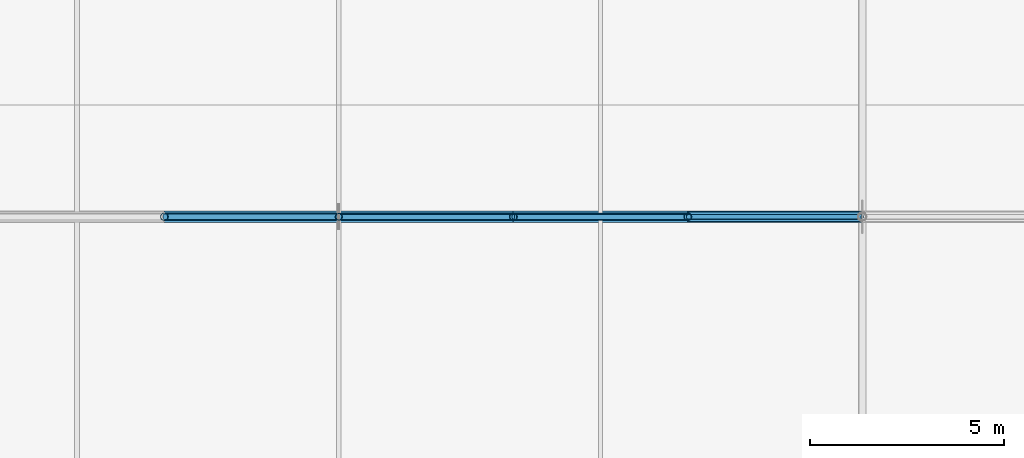
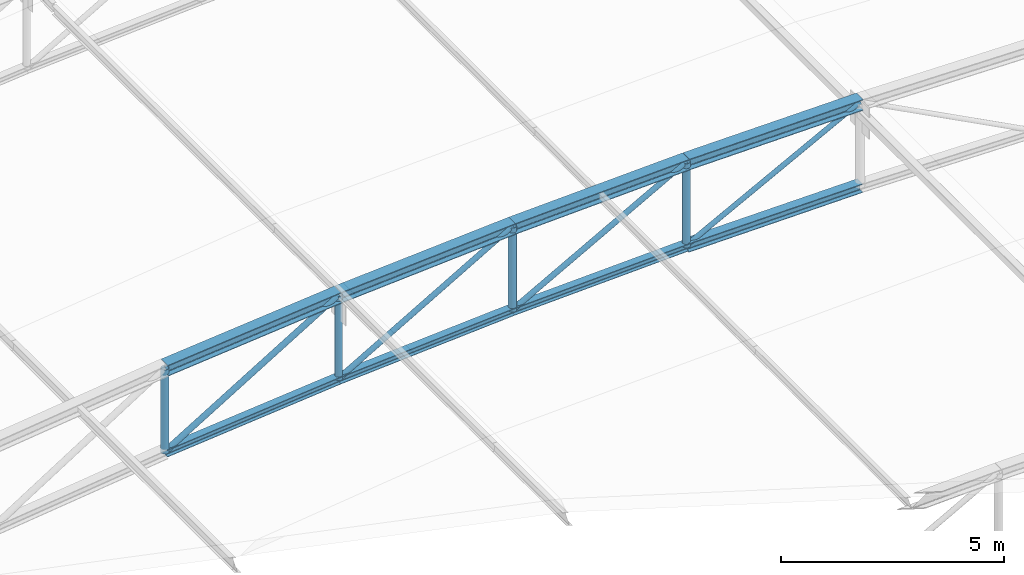
# One storey, part 163 of 262: 16 members.
"""IFC4 building model written with IfcOpenShell, lengths in metres."""

from ifc_helpers import new_model, si_unit, derived_unit, direction, frame, origin, origin_2d, place, context, subcontext, project, spatial, hollow_circle, i_section, extrude, material, material_profile, profile_set, type_object, element, save


model = new_model("IFC4")

# Units and contexts
model_context = context("Model", 3, precision=1e-05, world=origin(), true_north=direction((0.0, 1.0)))
body_context = subcontext(model_context, "Body", "Model", "MODEL_VIEW")
ifc_project = project(units=[si_unit("LENGTHUNIT", "METRE"), si_unit("AREAUNIT", "SQUARE_METRE"), si_unit("VOLUMEUNIT", "CUBIC_METRE"), si_unit("PLANEANGLEUNIT", "RADIAN"), si_unit("MASSUNIT", "GRAM", prefix="KILO"), derived_unit("THERMALTRANSMITTANCEUNIT", [(si_unit("POWERUNIT", "WATT"), 1), (si_unit("LENGTHUNIT", "METRE"), -2), (si_unit("THERMODYNAMICTEMPERATUREUNIT", "KELVIN"), -1)])], contexts=[model_context])

# Site, building, storey
site_placement = place(None, origin())
site = spatial("IfcSite", under=ifc_project, at=site_placement, CompositionType="ELEMENT")
building_placement = place(site_placement, origin())
building = spatial("IfcBuilding", under=site, at=building_placement, Name="Almenara Railside Exhibition Hall", CompositionType="ELEMENT")
storey_placement = place(building_placement, frame((0.0, 0.0, 21.699951171875)))
storey = spatial("IfcBuildingStorey", under=building, at=storey_placement, Name="RF", CompositionType="ELEMENT", Elevation=21.699951171875)

# Members
ifc_material = material(Name="Structural steel S355JR", Category="steel")
ifc_material_profile_1 = material_profile(ifc_material, i_section(OverallWidth=0.239990234375, OverallDepth=0.239990234375, WebThickness=0.010009765625, FlangeThickness=0.01708984375, FilletRadius=0.02099609375, at=origin_2d()), Name="HEB 240")
ifc_profile_set_1 = profile_set([ifc_material_profile_1], Name="Structural steel S355JR")
member_type_1 = type_object("IfcMemberType", Name="Arched Crown Bottom Chord HEB 240 S355JR", PredefinedType="CHORD", material=ifc_profile_set_1)
member_1_placement = place(storey_placement, frame((160.5, 90.0, -7.461181640625), z_axis=(0.999907293085, 0.0, 0.01361635908), x_axis=(0.0, 1.0, 0.0)))
element("IfcMember", 1, at=member_1_placement, inside=storey, type_object=member_type_1, Name="MEM-BC-V2-04-05", PredefinedType="CHORD", context=body_context, shape_type="SweptSolid", body=[
    extrude(i_section(OverallWidth=0.239990234375, OverallDepth=0.239990234375, WebThickness=0.010009765625, FlangeThickness=0.01708984375, FilletRadius=0.02099609375, at=origin_2d()), origin(), (0.0, 0.0, 1.0), 4.50048828125),
])
ifc_material_profile_2 = material_profile(ifc_material, i_section(OverallWidth=0.300048828125, OverallDepth=0.300048828125, WebThickness=0.010986328125, FlangeThickness=0.01904296875, FilletRadius=0.027099609375, at=origin_2d()), Name="HEB 300")
ifc_profile_set_2 = profile_set([ifc_material_profile_2], Name="Structural steel S355JR")
member_type_2 = type_object("IfcMemberType", Name="Arched Inner Top Chord HEB 300 S355JR", PredefinedType="CHORD", material=ifc_profile_set_2)
member_2_placement = place(storey_placement, frame((147.0, 90.0, -6.07763671875), z_axis=(0.995512933083, 0.0, 0.094625578275), x_axis=(0.0, 1.0, 0.0)))
element("IfcMember", 2, at=member_2_placement, inside=storey, type_object=member_type_2, Name="MEM-TC-V2-04-02", PredefinedType="CHORD", context=body_context, shape_type="SweptSolid", body=[
    extrude(i_section(OverallWidth=0.300048828125, OverallDepth=0.300048828125, WebThickness=0.010986328125, FlangeThickness=0.01904296875, FilletRadius=0.027099609375, at=origin_2d()), origin(), (0.0, 0.0, 1.0), 4.520263671875),
])
member_3_placement = place(storey_placement, frame((151.5, 90.0, -5.64990234375), z_axis=(0.997704684283, 0.0, 0.067715308162), x_axis=(0.0, 1.0, 0.0)))
element("IfcMember", 3, at=member_3_placement, inside=storey, type_object=member_type_2, Name="MEM-TC-V2-04-03", PredefinedType="CHORD", context=body_context, shape_type="SweptSolid", body=[
    extrude(i_section(OverallWidth=0.300048828125, OverallDepth=0.300048828125, WebThickness=0.010986328125, FlangeThickness=0.01904296875, FilletRadius=0.027099609375, at=origin_2d()), origin(), (0.0, 0.0, 1.0), 4.51025390625),
])
member_4_placement = place(storey_placement, frame((156.0, 90.0, -5.344482421875), z_axis=(0.99917098071, 0.0, 0.04071057978), x_axis=(0.0, 1.0, 0.0)))
element("IfcMember", 4, at=member_4_placement, inside=storey, type_object=member_type_2, Name="MEM-TC-V2-04-04", PredefinedType="CHORD", context=body_context, shape_type="SweptSolid", body=[
    extrude(i_section(OverallWidth=0.300048828125, OverallDepth=0.300048828125, WebThickness=0.010986328125, FlangeThickness=0.01904296875, FilletRadius=0.027099609375, at=origin_2d()), origin(), (0.0, 0.0, 1.0), 4.503662109375),
])
member_5_placement = place(storey_placement, frame((160.5, 90.0, -5.1611328125), z_axis=(0.999907293085, 0.0, 0.01361635908), x_axis=(0.0, 1.0, 0.0)))
element("IfcMember", 5, at=member_5_placement, inside=storey, type_object=member_type_2, Name="MEM-TC-V2-04-05", PredefinedType="CHORD", context=body_context, shape_type="SweptSolid", body=[
    extrude(i_section(OverallWidth=0.300048828125, OverallDepth=0.300048828125, WebThickness=0.010986328125, FlangeThickness=0.01904296875, FilletRadius=0.027099609375, at=origin_2d()), origin(), (0.0, 0.0, 1.0), 4.50048828125),
])
ifc_material_profile_3 = material_profile(ifc_material, i_section(OverallWidth=0.199951171875, OverallDepth=0.199951171875, WebThickness=0.009033203125, FlangeThickness=0.014892578125, FilletRadius=0.01806640625, at=origin_2d()), Name="HEB 200")
ifc_profile_set_3 = profile_set([ifc_material_profile_3], Name="Structural steel S355JR")
member_type_3 = type_object("IfcMemberType", Name="Canopy Collar Chord HEB 200 S355JR", PredefinedType="CHORD", material=ifc_profile_set_3)
member_6_placement = place(storey_placement, frame((147.0, 90.0, -8.377685546875), z_axis=(0.995512933083, 0.0, 0.094625578275), x_axis=(0.0, 1.0, 0.0)))
element("IfcMember", 6, at=member_6_placement, inside=storey, type_object=member_type_3, Name="MEM-BC-V2-04-02", PredefinedType="CHORD", context=body_context, shape_type="SweptSolid", body=[
    extrude(i_section(OverallWidth=0.199951171875, OverallDepth=0.199951171875, WebThickness=0.009033203125, FlangeThickness=0.014892578125, FilletRadius=0.01806640625, at=origin_2d()), origin(), (0.0, 0.0, 1.0), 4.520263671875),
])
member_7_placement = place(storey_placement, frame((151.5, 90.0, -7.949951171875), z_axis=(0.997701025897, 0.0, 0.067769188608), x_axis=(0.0, 1.0, 0.0)))
element("IfcMember", 7, at=member_7_placement, inside=storey, type_object=member_type_3, Name="MEM-BC-V2-04-03", PredefinedType="CHORD", context=body_context, shape_type="SweptSolid", body=[
    extrude(i_section(OverallWidth=0.199951171875, OverallDepth=0.199951171875, WebThickness=0.009033203125, FlangeThickness=0.014892578125, FilletRadius=0.01806640625, at=origin_2d()), origin(), (0.0, 0.0, 1.0), 4.51025390625),
])
member_8_placement = place(storey_placement, frame((156.0, 90.0, -7.644287109375), z_axis=(0.999173184279, 0.0, 0.040656460949), x_axis=(0.0, 1.0, 0.0)))
element("IfcMember", 8, at=member_8_placement, inside=storey, type_object=member_type_3, Name="MEM-BC-V2-04-04", PredefinedType="CHORD", context=body_context, shape_type="SweptSolid", body=[
    extrude(i_section(OverallWidth=0.199951171875, OverallDepth=0.199951171875, WebThickness=0.009033203125, FlangeThickness=0.014892578125, FilletRadius=0.01806640625, at=origin_2d()), origin(), (0.0, 0.0, 1.0), 4.503662109375),
])
ifc_material_profile_4 = material_profile(ifc_material, hollow_circle(Radius=0.0634765625, WallThickness=0.00439453125, at=origin_2d()), Name="CHS 127.0x4.5")
ifc_profile_set_4 = profile_set([ifc_material_profile_4], Name="Structural steel S355JR")
member_type_4 = type_object("IfcMemberType", Name="Truss Crown Diagonal CHS 127.0x4.5 S355JR", PredefinedType="BRACE", material=ifc_profile_set_4)
member_9_placement = place(storey_placement, frame((160.5, 90.0, -7.461181640625), z_axis=(0.885492789601, 0.0, 0.46465311746), x_axis=(0.0, 1.0, 0.0)))
element("IfcMember", 9, at=member_9_placement, inside=storey, type_object=member_type_4, Name="MEM-TD-V2-04-05", PredefinedType="BRACE", context=body_context, shape_type="SweptSolid", body=[
    extrude(hollow_circle(Radius=0.0634765625, WallThickness=0.00439453125, at=origin_2d()), origin(), (0.0, 0.0, 1.0), 5.08203125),
])
ifc_material_profile_5 = material_profile(ifc_material, hollow_circle(Radius=0.06982421875, WallThickness=0.0048828125, at=origin_2d()), Name="CHS 139.7x5")
ifc_profile_set_5 = profile_set([ifc_material_profile_5], Name="Structural steel S355JR")
member_type_5 = type_object("IfcMemberType", Name="Truss Inner Diagonal CHS 139.7x5 S355JR", PredefinedType="BRACE", material=ifc_profile_set_5)
member_10_placement = place(storey_placement, frame((151.5, 90.0, -7.949951171875), z_axis=(0.865409140876, 0.0, 0.501065882782), x_axis=(0.0, 1.0, 0.0)))
element("IfcMember", 10, at=member_10_placement, inside=storey, type_object=member_type_5, Name="MEM-TD-V2-04-03", PredefinedType="BRACE", context=body_context, shape_type="SweptSolid", body=[
    extrude(hollow_circle(Radius=0.06982421875, WallThickness=0.0048828125, at=origin_2d()), origin(), (0.0, 0.0, 1.0), 5.199951171875),
])
member_11_placement = place(storey_placement, frame((156.0, 90.0, -7.644287109375), z_axis=(0.875545119572, 0.0, 0.483136361283), x_axis=(0.0, 1.0, 0.0)))
element("IfcMember", 11, at=member_11_placement, inside=storey, type_object=member_type_5, Name="MEM-TD-V2-04-04", PredefinedType="BRACE", context=body_context, shape_type="SweptSolid", body=[
    extrude(hollow_circle(Radius=0.06982421875, WallThickness=0.0048828125, at=origin_2d()), origin(), (0.0, 0.0, 1.0), 5.1396484375),
])
ifc_material_profile_6 = material_profile(ifc_material, hollow_circle(Radius=0.076171875, WallThickness=0.0048828125, at=origin_2d()), Name="CHS 152.4x5")
ifc_profile_set_6 = profile_set([ifc_material_profile_6], Name="Structural steel S355JR")
member_type_6 = type_object("IfcMemberType", Name="Truss Mid Diagonal CHS 152.4x5 S355JR", PredefinedType="BRACE", material=ifc_profile_set_6)
member_12_placement = place(storey_placement, frame((147.0, 90.0, -8.377685546875), z_axis=(0.855154829777, 0.0, 0.518372662386), x_axis=(0.0, 1.0, 0.0)))
element("IfcMember", 12, at=member_12_placement, inside=storey, type_object=member_type_6, Name="MEM-TD-V2-04-02", PredefinedType="BRACE", context=body_context, shape_type="SweptSolid", body=[
    extrude(hollow_circle(Radius=0.076171875, WallThickness=0.0048828125, at=origin_2d()), origin(), (0.0, 0.0, 1.0), 5.26220703125),
])
ifc_material_profile_7 = material_profile(ifc_material, hollow_circle(Radius=0.0888671875, WallThickness=0.006103515625, at=origin_2d()), Name="CHS 177.8x6")
ifc_profile_set_7 = profile_set([ifc_material_profile_7], Name="Structural steel S355JR")
member_type_7 = type_object("IfcMemberType", Name="Truss Quarter Vertical Strut CHS 177.8x6 S355JR", PredefinedType="BRACE", material=ifc_profile_set_7)
member_13_placement = place(storey_placement, frame((151.5, 90.0, -7.949951171875), z_axis=(0.0, 0.0, 1.0), x_axis=(1.0, 0.0, 0.0)))
element("IfcMember", 13, at=member_13_placement, inside=storey, type_object=member_type_7, Name="MEM-TV-V2-04-03", PredefinedType="BRACE", context=body_context, shape_type="SweptSolid", body=[
    extrude(hollow_circle(Radius=0.0888671875, WallThickness=0.006103515625, at=origin_2d()), origin(), (0.0, 0.0, 1.0), 2.300048828125),
])
ifc_material_profile_8 = material_profile(ifc_material, hollow_circle(Radius=0.096923828125, WallThickness=0.00634765625, at=origin_2d()), Name="CHS 193.7x6.3")
ifc_profile_set_8 = profile_set([ifc_material_profile_8], Name="Structural steel S355JR")
member_type_8 = type_object("IfcMemberType", Name="Truss Standard Vertical Strut CHS 193.7x6.3 S355JR", PredefinedType="BRACE", material=ifc_profile_set_8)
member_14_placement = place(storey_placement, frame((147.0, 90.0, -8.377685546875), z_axis=(0.0, 0.0, 1.0), x_axis=(1.0, 0.0, 0.0)))
element("IfcMember", 14, at=member_14_placement, inside=storey, type_object=member_type_8, Name="MEM-TV-V2-04-02", PredefinedType="BRACE", context=body_context, shape_type="SweptSolid", body=[
    extrude(hollow_circle(Radius=0.096923828125, WallThickness=0.00634765625, at=origin_2d()), origin(), (0.0, 0.0, 1.0), 2.300048828125),
])
member_15_placement = place(storey_placement, frame((156.0, 90.0, -7.644287109375), z_axis=(0.0, 0.0, 1.0), x_axis=(1.0, 0.0, 0.0)))
element("IfcMember", 15, at=member_15_placement, inside=storey, type_object=member_type_8, Name="MEM-TV-V2-04-04", PredefinedType="BRACE", context=body_context, shape_type="SweptSolid", body=[
    extrude(hollow_circle(Radius=0.096923828125, WallThickness=0.00634765625, at=origin_2d()), origin(), (0.0, 0.0, 1.0), 2.2998046875),
])
member_16_placement = place(storey_placement, frame((160.5, 90.0, -7.461181640625), z_axis=(0.0, 0.0, 1.0), x_axis=(1.0, 0.0, 0.0)))
element("IfcMember", 16, at=member_16_placement, inside=storey, type_object=member_type_8, Name="MEM-TV-V2-04-05", PredefinedType="BRACE", context=body_context, shape_type="SweptSolid", body=[
    extrude(hollow_circle(Radius=0.096923828125, WallThickness=0.00634765625, at=origin_2d()), origin(), (0.0, 0.0, 1.0), 2.300048828125),
])

save(model, "model.ifc")
